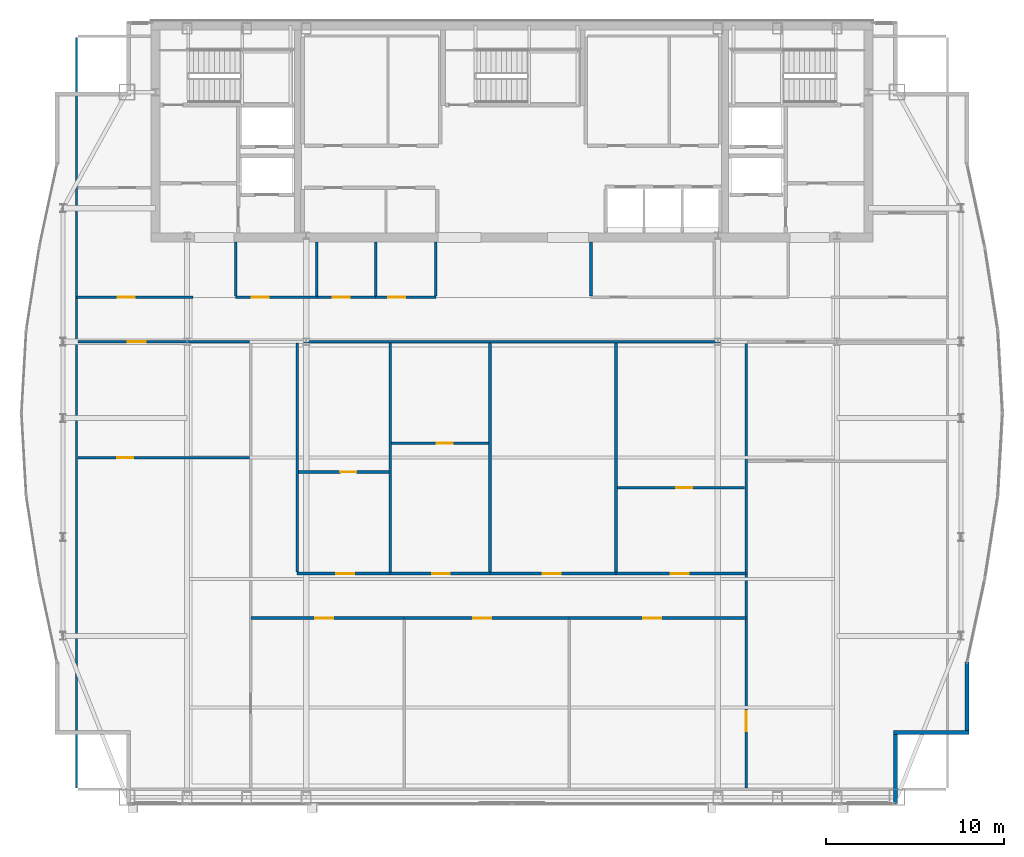
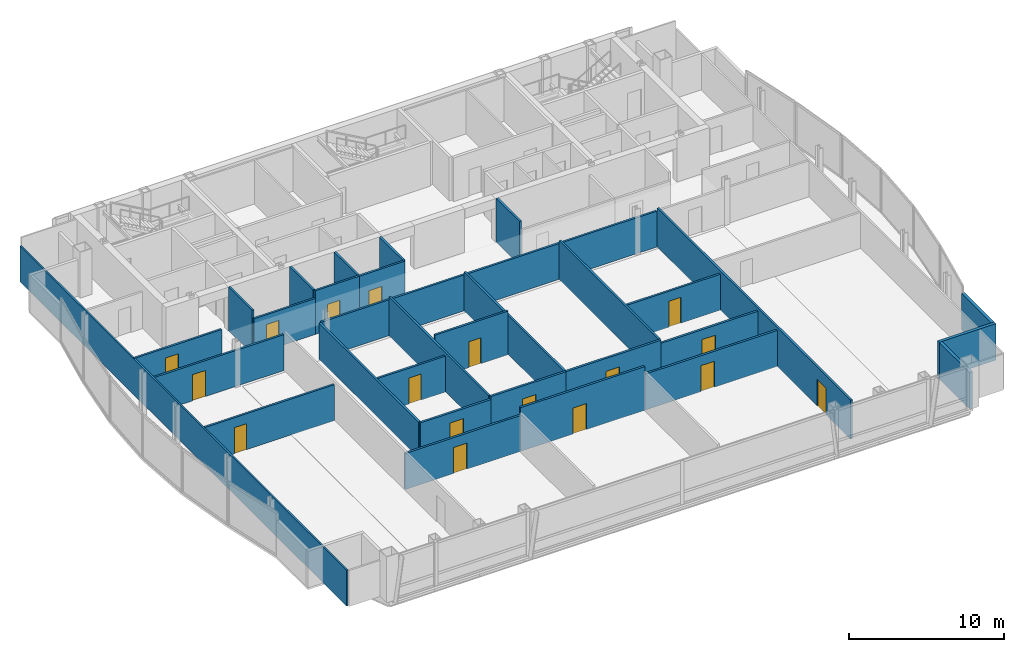
# One storey, part 24 of 29: 31 walls, 17 doors, 17 openings.
"""IFC4 building model written with IfcOpenShell, lengths in metres."""

from ifc_helpers import new_model, si_unit, direction, frame, frame_2d, origin, place, context, subcontext, project, spatial, rectangle, extrude, material, layer, layer_set, type_object, element, fill, save


model = new_model("IFC4")

# Units and contexts
model_context = context("Model", 3, precision=1e-05, world=origin(), true_north=direction((0.0, 1.0)))
body_context = subcontext(model_context, "Body", "Model", "MODEL_VIEW")
ifc_project = project(units=[si_unit("LENGTHUNIT", "METRE"), si_unit("AREAUNIT", "SQUARE_METRE"), si_unit("VOLUMEUNIT", "CUBIC_METRE"), si_unit("PLANEANGLEUNIT", "RADIAN"), si_unit("MASSUNIT", "GRAM", prefix="KILO")], contexts=[model_context])

# Site, building, storey
site_placement = place(None, origin())
site = spatial("IfcSite", under=ifc_project, at=site_placement, CompositionType="ELEMENT")
building_placement = place(site_placement, origin())
building = spatial("IfcBuilding", under=site, at=building_placement, Name="Khoronbel Lancet Exchange", CompositionType="ELEMENT")
storey_placement = place(building_placement, frame((0.0, 0.0, 329.0)))
storey = spatial("IfcBuildingStorey", under=building, at=storey_placement, Name="L85", CompositionType="ELEMENT", Elevation=329.0)

# Walls
ifc_material_1 = material(Name="Precast concrete C40/50", Category="concrete")
ifc_layer_1 = layer(ifc_material_1, 0.25, Name="Precast concrete C40/50")
ifc_layer_set_1 = layer_set([ifc_layer_1], Name="Precast concrete C40/50")
wall_type_1 = type_object("IfcWallType", Name="WL-EXT250", PredefinedType="SOLIDWALL", material=ifc_layer_set_1)
wall_1_placement = place(storey_placement, frame((61.9599609375, 17.7294921875, 0.0), z_axis=(0.0, 0.0, 1.0), x_axis=(0.0, -1.0, 0.0)))
element("IfcWall", 1, at=wall_1_placement, inside=storey, type_object=wall_type_1, Name="Level L85 notched-corner limestone pier 23", PredefinedType="SOLIDWALL", context=body_context, shape_type="SweptSolid", body=[
    extrude(rectangle(XDim=3.82958984375, YDim=0.219970703125, at=frame_2d((1.914794921875, 0.0))), origin(), (0.0, 0.0, 1.0), 2.8798828125),
])
wall_2_placement = place(storey_placement, frame((62.070068359375, 13.7900390625, 0.0), z_axis=(0.0, 0.0, 1.0), x_axis=(-1.0, 0.0, 0.0)))
element("IfcWall", 2, at=wall_2_placement, inside=storey, type_object=wall_type_1, Name="Level L85 notched-corner limestone pier 24", PredefinedType="SOLIDWALL", context=body_context, shape_type="SweptSolid", body=[
    extrude(rectangle(XDim=4.219970703125, YDim=0.219970703125, at=frame_2d((2.10986328125, 0.0))), origin(), (0.0, 0.0, 1.0), 2.8798828125),
])
wall_3_placement = place(storey_placement, frame((57.9599609375, 13.679931640625, 0.0), z_axis=(0.0, 0.0, 1.0), x_axis=(0.0, -1.0, 0.0)))
element("IfcWall", 3, at=wall_3_placement, inside=storey, type_object=wall_type_1, Name="Level L85 notched-corner limestone pier 25", PredefinedType="SOLIDWALL", context=body_context, shape_type="SweptSolid", body=[
    extrude(rectangle(XDim=3.909912109375, YDim=0.219970703125, at=frame_2d((1.955078125, 0.0))), origin(), (0.0, 0.0, 1.0), 2.8798828125),
])
ifc_material_2 = material(Name="Acoustic Metal-Stud & Mineral-Wool Gypsum Partition 120 mm", Category="gypsum")
ifc_layer_2 = layer(ifc_material_2, 0.1201171875, Name="Acoustic Metal-Stud & Mineral-Wool Gypsum Partition 120 mm")
ifc_layer_set_2 = layer_set([ifc_layer_2], Name="Acoustic Metal-Stud & Mineral-Wool Gypsum Partition 120 mm")
wall_type_2 = type_object("IfcWallType", Name="WL-PRT120", PredefinedType="PARTITIONING", material=ifc_layer_set_2)
for number, where, z_axis, x_axis, name in (
    (4, (20.949951171875, 38.280029296875, 0.0), (0.0, 0.0, 1.0), (0.0, 1.0, 0.0), "Level L85 interior partition PW-WC-0"),
    (5, (25.5, 38.280029296875, 0.0), (0.0, 0.0, 1.0), (0.0, 1.0, 0.0), "Level L85 interior partition PW-WC-1"),
    (6, (28.800048828125, 38.280029296875, 0.0), (0.0, 0.0, 1.0), (0.0, 1.0, 0.0), "Level L85 interior partition PW-WC-2"),
    (7, (32.179931640625, 38.280029296875, 0.0), (0.0, 0.0, 1.0), (0.0, 1.0, 0.0), "Level L85 interior partition PW-WC-3"),
    (8, (40.8798828125, 38.280029296875, 0.0), (0.0, 0.0, 1.0), (0.0, 1.0, 0.0), "Level L85 interior partition PW-NP-0"),
):
    element("IfcWall", number, at=place(storey_placement, frame(where, z_axis=z_axis, x_axis=x_axis)), inside=storey, type_object=wall_type_2, Name=name, PredefinedType="PARTITIONING", context=body_context, shape_type="SweptSolid", body=[
        extrude(rectangle(XDim=3.02001953125, YDim=0.14990234375, at=frame_2d((1.510009765625, 0.0))), origin(), (0.0, 0.0, 1.0), 3.43994140625),
    ])

# Wall, opening, door
wall_4_placement = place(storey_placement, frame((12.094970703125, 29.199951171875, 0.0), z_axis=(0.0, 0.0, 1.0), x_axis=(1.0, 0.0, 0.0)))
wall_4 = element("IfcWall", 9, at=wall_4_placement, inside=storey, type_object=wall_type_2, Name="Level L85 interior partition PW-Z4-WH", PredefinedType="PARTITIONING", context=body_context, shape_type="SweptSolid", body=[
    extrude(rectangle(XDim=9.625, YDim=0.14990234375, at=frame_2d((4.8125, 0.0))), origin(), (0.0, 0.0, 1.0), 2.830078125),
])
opening_1_placement = place(wall_4_placement, frame((2.199951171875, 0.0, 0.0)))
opening_1 = element("IfcOpeningElement", 10, at=opening_1_placement, cuts=wall_4, Name="Opening D5", PredefinedType="OPENING", context=body_context, shape_type="SweptSolid", body=[
    extrude(rectangle(XDim=0.89990234375, YDim=2.050048828125, at=frame_2d((0.449951171875, 1.02490234375))), frame((0.0, 0.0849609375, 0.0), z_axis=(0.0, -1.0, 0.0), x_axis=(1.0, 0.0, 0.0)), (0.0, 0.0, 1.0), 0.169921875),
])
ifc_material_3 = material(Name="Acoustic Timber Pantry & Support Door", Category="wood")
door_type_1 = type_object("IfcDoorType", Name="DR-D5", OperationType="NOTDEFINED", PredefinedType="DOOR", material=ifc_material_3)
door_1_placement = place(opening_1_placement, origin())
door_1 = element("IfcDoor", 11, at=door_1_placement, inside=storey, type_object=door_type_1, Name="West lens inner door L85-1", OperationType="SINGLE_SWING_LEFT", OverallHeight=2.050048828125, OverallWidth=0.89990234375, PredefinedType="DOOR", context=body_context, shape_type="SweptSolid", body=[
    extrude(rectangle(XDim=0.89990234375, YDim=2.050048828125, at=frame_2d((0.449951171875, 1.02490234375))), frame((0.0, 0.02490234375, 0.0), z_axis=(0.0, -1.0, 0.0), x_axis=(1.0, 0.0, 0.0)), (0.0, 0.0, 1.0), 0.050048828125),
])
fill(opening_1, door_1)

wall_5_placement = place(storey_placement, frame((24.47998046875, 28.398193359375, 0.0), z_axis=(0.0, 0.0, 1.0), x_axis=(1.0, 0.0, 0.0)))
wall_5 = element("IfcWall", 12, at=wall_5_placement, inside=storey, type_object=wall_type_2, Name="Level L85 interior partition PW-Z4C-H1", PredefinedType="PARTITIONING", context=body_context, shape_type="SweptSolid", body=[
    extrude(rectangle(XDim=5.0576171875, YDim=0.14990234375, at=frame_2d((2.52880859375, 0.0))), origin(), (0.0, 0.0, 1.0), 2.830078125),
])
opening_2_placement = place(wall_5_placement, frame((2.347900390625, 0.0, 0.0)))
opening_2 = element("IfcOpeningElement", 13, at=opening_2_placement, cuts=wall_5, Name="Opening D5", PredefinedType="OPENING", context=body_context, shape_type="SweptSolid", body=[
    extrude(rectangle(XDim=0.89990234375, YDim=2.050048828125, at=frame_2d((0.449951171875, 1.02490234375))), frame((0.0, 0.0849609375, 0.0), z_axis=(0.0, -1.0, 0.0), x_axis=(1.0, 0.0, 0.0)), (0.0, 0.0, 1.0), 0.169921875),
])
door_2_placement = place(opening_2_placement, origin())
door_2 = element("IfcDoor", 14, at=door_2_placement, inside=storey, type_object=door_type_1, Name="Z4C inner door 1 L85-1", OperationType="SINGLE_SWING_RIGHT", OverallHeight=2.050048828125, OverallWidth=0.89990234375, PredefinedType="DOOR", context=body_context, shape_type="SweptSolid", body=[
    extrude(rectangle(XDim=0.89990234375, YDim=2.050048828125, at=frame_2d((0.449951171875, 1.02490234375))), frame((0.0, 0.02490234375, 0.0), z_axis=(0.0, -1.0, 0.0), x_axis=(1.0, 0.0, 0.0)), (0.0, 0.0, 1.0), 0.050048828125),
])
fill(opening_2, door_2)

wall_6_placement = place(storey_placement, frame((29.69775390625, 30.01025390625, 0.0), z_axis=(0.0, 0.0, 1.0), x_axis=(1.0, 0.0, 0.0)))
wall_6 = element("IfcWall", 15, at=wall_6_placement, inside=storey, type_object=wall_type_2, Name="Level L85 interior partition PW-Z4C-H2", PredefinedType="PARTITIONING", context=body_context, shape_type="SweptSolid", body=[
    extrude(rectangle(XDim=5.438232421875, YDim=0.14990234375, at=frame_2d((2.71923828125, 0.0))), origin(), (0.0, 0.0, 1.0), 3.43994140625),
])
opening_3_placement = place(wall_6_placement, frame((2.519287109375, 0.0, 0.0)))
opening_3 = element("IfcOpeningElement", 16, at=opening_3_placement, cuts=wall_6, Name="Opening D5", PredefinedType="OPENING", context=body_context, shape_type="SweptSolid", body=[
    extrude(rectangle(XDim=0.89990234375, YDim=2.050048828125, at=frame_2d((0.449951171875, 1.02490234375))), frame((0.0, 0.0849609375, 0.0), z_axis=(0.0, -1.0, 0.0), x_axis=(1.0, 0.0, 0.0)), (0.0, 0.0, 1.0), 0.169921875),
])
door_3_placement = place(opening_3_placement, origin())
door_3 = element("IfcDoor", 17, at=door_3_placement, inside=storey, type_object=door_type_1, Name="Z4C inner door 2 L85-1", OperationType="SINGLE_SWING_RIGHT", OverallHeight=2.050048828125, OverallWidth=0.89990234375, PredefinedType="DOOR", context=body_context, shape_type="SweptSolid", body=[
    extrude(rectangle(XDim=0.89990234375, YDim=2.050048828125, at=frame_2d((0.449951171875, 1.02490234375))), frame((0.0, 0.02490234375, 0.0), z_axis=(0.0, -1.0, 0.0), x_axis=(1.0, 0.0, 0.0)), (0.0, 0.0, 1.0), 0.050048828125),
])
fill(opening_3, door_3)

wall_7_placement = place(storey_placement, frame((42.367431640625, 27.506591796875, 0.0), z_axis=(0.0, 0.0, 1.0), x_axis=(1.0, 0.0, 0.0)))
wall_7 = element("IfcWall", 18, at=wall_7_placement, inside=storey, type_object=wall_type_2, Name="Level L85 interior partition PW-Z4C-H4", PredefinedType="PARTITIONING", context=body_context, shape_type="SweptSolid", body=[
    extrude(rectangle(XDim=7.132568359375, YDim=0.14990234375, at=frame_2d((3.56640625, 0.0))), origin(), (0.0, 0.0, 1.0), 2.830078125),
])
opening_4_placement = place(wall_7_placement, frame((3.281494140625, 0.0, 0.0)))
opening_4 = element("IfcOpeningElement", 19, at=opening_4_placement, cuts=wall_7, Name="Opening D5", PredefinedType="OPENING", context=body_context, shape_type="SweptSolid", body=[
    extrude(rectangle(XDim=0.89990234375, YDim=2.050048828125, at=frame_2d((0.449951171875, 1.02490234375))), frame((0.0, 0.0849609375, 0.0), z_axis=(0.0, -1.0, 0.0), x_axis=(1.0, 0.0, 0.0)), (0.0, 0.0, 1.0), 0.169921875),
])
door_4_placement = place(opening_4_placement, origin())
door_4 = element("IfcDoor", 20, at=door_4_placement, inside=storey, type_object=door_type_1, Name="Z4C inner door 4 L85-1", OperationType="SINGLE_SWING_LEFT", OverallHeight=2.050048828125, OverallWidth=0.89990234375, PredefinedType="DOOR", context=body_context, shape_type="SweptSolid", body=[
    extrude(rectangle(XDim=0.89990234375, YDim=2.050048828125, at=frame_2d((0.449951171875, 1.02490234375))), frame((0.0, 0.02490234375, 0.0), z_axis=(0.0, -1.0, 0.0), x_axis=(1.0, 0.0, 0.0)), (0.0, 0.0, 1.0), 0.050048828125),
])
fill(opening_4, door_4)

# Wall
wall_8_placement = place(storey_placement, frame((12.030029296875, 10.6650390625, 0.0), z_axis=(0.0, 0.0, 1.0), x_axis=(0.0, 1.0, 0.0)))
element("IfcWall", 21, at=wall_8_placement, inside=storey, type_object=wall_type_2, Name="Level L85 interior partition PW-LIN-W", PredefinedType="PARTITIONING", context=body_context, shape_type="SweptSolid", body=[
    extrude(rectangle(XDim=42.10986328125, YDim=0.1201171875, at=frame_2d((21.054931640625, 0.0))), origin(), (0.0, 0.0, 1.0), 2.830078125),
])

# Wall, opening, door
ifc_material_4 = material(Name="Fire-Rated Twin-Stud Acoustic Gypsum Partition 150 mm", Category="gypsum")
ifc_layer_3 = layer(ifc_material_4, 0.14990234375, Name="Fire-Rated Twin-Stud Acoustic Gypsum Partition 150 mm")
ifc_layer_set_3 = layer_set([ifc_layer_3], Name="Fire-Rated Twin-Stud Acoustic Gypsum Partition 150 mm")
wall_type_3 = type_object("IfcWallType", Name="WL-PRT150C", PredefinedType="PARTITIONING", material=ifc_layer_set_3)
wall_9_placement = place(storey_placement, frame((20.949951171875, 38.199951171875, 0.0), z_axis=(0.0, 0.0, 1.0), x_axis=(1.0, 0.0, 0.0)))
wall_9 = element("IfcWall", 22, at=wall_9_placement, inside=storey, type_object=wall_type_3, Name="Level L85 interior partition PW-WC-S1", PredefinedType="PARTITIONING", context=body_context, shape_type="SweptSolid", body=[
    extrude(rectangle(XDim=4.550048828125, YDim=0.14990234375, at=frame_2d((2.27490234375, 0.0))), origin(), (0.0, 0.0, 1.0), 2.830078125),
])
opening_5_placement = place(wall_9_placement, frame((0.89990234375, 0.0, 0.0)))
opening_5 = element("IfcOpeningElement", 23, at=opening_5_placement, cuts=wall_9, Name="Opening D4", PredefinedType="OPENING", context=body_context, shape_type="SweptSolid", body=[
    extrude(rectangle(XDim=0.949951171875, YDim=2.050048828125, at=frame_2d((0.47509765625, 1.02490234375))), frame((0.0, 0.0849609375, 0.0), z_axis=(0.0, -1.0, 0.0), x_axis=(1.0, 0.0, 0.0)), (0.0, 0.0, 1.0), 0.169921875),
])
ifc_material_5 = material(Name="Moisture-Resistant HPL Washroom Door", Category="wood")
door_type_2 = type_object("IfcDoorType", Name="DR-D4", OperationType="NOTDEFINED", PredefinedType="DOOR", material=ifc_material_5)
door_5_placement = place(opening_5_placement, origin())
door_5 = element("IfcDoor", 24, at=door_5_placement, inside=storey, type_object=door_type_2, Name="Male washroom door L85-1", OperationType="SINGLE_SWING_RIGHT", OverallHeight=2.050048828125, OverallWidth=0.949951171875, PredefinedType="DOOR", context=body_context, shape_type="SweptSolid", body=[
    extrude(rectangle(XDim=0.949951171875, YDim=2.050048828125, at=frame_2d((0.47509765625, 1.02490234375))), frame((0.0, 0.02490234375, 0.0), z_axis=(0.0, -1.0, 0.0), x_axis=(1.0, 0.0, 0.0)), (0.0, 0.0, 1.0), 0.050048828125),
])
fill(opening_5, door_5)

wall_10_placement = place(storey_placement, frame((25.5, 38.199951171875, 0.0), z_axis=(0.0, 0.0, 1.0), x_axis=(1.0, 0.0, 0.0)))
wall_10 = element("IfcWall", 25, at=wall_10_placement, inside=storey, type_object=wall_type_3, Name="Level L85 interior partition PW-WC-S2", PredefinedType="PARTITIONING", context=body_context, shape_type="SweptSolid", body=[
    extrude(rectangle(XDim=3.300048828125, YDim=0.14990234375, at=frame_2d((1.64990234375, 0.0))), origin(), (0.0, 0.0, 1.0), 3.43994140625),
])
opening_6_placement = place(wall_10_placement, frame((0.89990234375, 0.0, 0.0)))
opening_6 = element("IfcOpeningElement", 26, at=opening_6_placement, cuts=wall_10, Name="Opening D4", PredefinedType="OPENING", context=body_context, shape_type="SweptSolid", body=[
    extrude(rectangle(XDim=0.949951171875, YDim=2.050048828125, at=frame_2d((0.47509765625, 1.02490234375))), frame((0.0, 0.0849609375, 0.0), z_axis=(0.0, -1.0, 0.0), x_axis=(1.0, 0.0, 0.0)), (0.0, 0.0, 1.0), 0.169921875),
])
door_6_placement = place(opening_6_placement, origin())
door_6 = element("IfcDoor", 27, at=door_6_placement, inside=storey, type_object=door_type_2, Name="Female washroom door L85-1", OperationType="SINGLE_SWING_LEFT", OverallHeight=2.050048828125, OverallWidth=0.949951171875, PredefinedType="DOOR", context=body_context, shape_type="SweptSolid", body=[
    extrude(rectangle(XDim=0.949951171875, YDim=2.050048828125, at=frame_2d((0.47509765625, 1.02490234375))), frame((0.0, 0.02490234375, 0.0), z_axis=(0.0, -1.0, 0.0), x_axis=(1.0, 0.0, 0.0)), (0.0, 0.0, 1.0), 0.050048828125),
])
fill(opening_6, door_6)

wall_11_placement = place(storey_placement, frame((28.800048828125, 38.199951171875, 0.0), z_axis=(0.0, 0.0, 1.0), x_axis=(1.0, 0.0, 0.0)))
wall_11 = element("IfcWall", 28, at=wall_11_placement, inside=storey, type_object=wall_type_3, Name="Level L85 interior partition PW-WC-S3", PredefinedType="PARTITIONING", context=body_context, shape_type="SweptSolid", body=[
    extrude(rectangle(XDim=3.3798828125, YDim=0.14990234375, at=frame_2d((1.68994140625, 0.0))), origin(), (0.0, 0.0, 1.0), 3.43994140625),
])
opening_7_placement = place(wall_11_placement, frame((0.699951171875, 0.0, 0.0)))
opening_7 = element("IfcOpeningElement", 29, at=opening_7_placement, cuts=wall_11, Name="Opening D4", PredefinedType="OPENING", context=body_context, shape_type="SweptSolid", body=[
    extrude(rectangle(XDim=0.949951171875, YDim=2.050048828125, at=frame_2d((0.47509765625, 1.02490234375))), frame((0.0, 0.0849609375, 0.0), z_axis=(0.0, -1.0, 0.0), x_axis=(1.0, 0.0, 0.0)), (0.0, 0.0, 1.0), 0.169921875),
])
door_7_placement = place(opening_7_placement, origin())
door_7 = element("IfcDoor", 30, at=door_7_placement, inside=storey, type_object=door_type_2, Name="Accessible WC door L85-1", OperationType="SINGLE_SWING_RIGHT", OverallHeight=2.050048828125, OverallWidth=0.949951171875, PredefinedType="DOOR", context=body_context, shape_type="SweptSolid", body=[
    extrude(rectangle(XDim=0.949951171875, YDim=2.050048828125, at=frame_2d((0.47509765625, 1.02490234375))), frame((0.0, 0.02490234375, 0.0), z_axis=(0.0, -1.0, 0.0), x_axis=(1.0, 0.0, 0.0)), (0.0, 0.0, 1.0), 0.050048828125),
])
fill(opening_7, door_7)

wall_12_placement = place(storey_placement, frame((12.030029296875, 38.199951171875, 0.0), z_axis=(0.0, 0.0, 1.0), x_axis=(1.0, 0.0, 0.0)))
wall_12 = element("IfcWall", 31, at=wall_12_placement, inside=storey, type_object=wall_type_3, Name="Level L85 interior partition PW-NW-S", PredefinedType="PARTITIONING", context=body_context, shape_type="SweptSolid", body=[
    extrude(rectangle(XDim=6.52001953125, YDim=0.14990234375, at=frame_2d((3.260009765625, 0.0))), origin(), (0.0, 0.0, 1.0), 2.830078125),
])
opening_8_placement = place(wall_12_placement, frame((2.320068359375, 0.0, 0.0)))
opening_8 = element("IfcOpeningElement", 32, at=opening_8_placement, cuts=wall_12, Name="Opening D1", PredefinedType="OPENING", context=body_context, shape_type="SweptSolid", body=[
    extrude(rectangle(XDim=0.949951171875, YDim=2.050048828125, at=frame_2d((0.47509765625, 1.02490234375))), frame((0.0, 0.0849609375, 0.0), z_axis=(0.0, -1.0, 0.0), x_axis=(1.0, 0.0, 0.0)), (0.0, 0.0, 1.0), 0.169921875),
])
ifc_material_6 = material(Name="Acoustic Veneered Timber & Bronze Frame Door", Category="wood")
door_type_3 = type_object("IfcDoorType", Name="DR-D1", OperationType="NOTDEFINED", PredefinedType="DOOR", material=ifc_material_6)
door_8_placement = place(opening_8_placement, origin())
door_8 = element("IfcDoor", 33, at=door_8_placement, inside=storey, type_object=door_type_3, Name="NW corner room door L85-1", OperationType="SINGLE_SWING_LEFT", OverallHeight=2.050048828125, OverallWidth=0.949951171875, PredefinedType="DOOR", context=body_context, shape_type="SweptSolid", body=[
    extrude(rectangle(XDim=0.949951171875, YDim=2.050048828125, at=frame_2d((0.47509765625, 1.02490234375))), frame((0.0, 0.02490234375, 0.0), z_axis=(0.0, -1.0, 0.0), x_axis=(1.0, 0.0, 0.0)), (0.0, 0.0, 1.0), 0.050048828125),
])
fill(opening_8, door_8)

wall_13_placement = place(storey_placement, frame((12.094970703125, 35.699951171875, 0.0), z_axis=(0.0, 0.0, 1.0), x_axis=(1.0, 0.0, 0.0)))
wall_13 = element("IfcWall", 34, at=wall_13_placement, inside=storey, type_object=wall_type_3, Name="Level L85 interior partition PW-Z4-WN", PredefinedType="PARTITIONING", context=body_context, shape_type="SweptSolid", body=[
    extrude(rectangle(XDim=9.625, YDim=0.14990234375, at=frame_2d((4.8125, 0.0))), origin(), (0.0, 0.0, 1.0), 2.830078125),
])
opening_9_placement = place(wall_13_placement, frame((2.800048828125, 0.0, 0.0)))
opening_9 = element("IfcOpeningElement", 35, at=opening_9_placement, cuts=wall_13, Name="Opening D2", PredefinedType="OPENING", context=body_context, shape_type="SweptSolid", body=[
    extrude(rectangle(XDim=1.0, YDim=2.050048828125, at=frame_2d((0.5, 1.02490234375))), frame((0.0, 0.0849609375, 0.0), z_axis=(0.0, -1.0, 0.0), x_axis=(1.0, 0.0, 0.0)), (0.0, 0.0, 1.0), 0.169921875),
])
door_type_4 = type_object("IfcDoorType", Name="DR-D2", OperationType="NOTDEFINED", PredefinedType="DOOR", material=ifc_material_6)
door_9_placement = place(opening_9_placement, origin())
door_9 = element("IfcDoor", 36, at=door_9_placement, inside=storey, type_object=door_type_4, Name="West lens north door L85-1", OperationType="SINGLE_SWING_RIGHT", OverallHeight=2.050048828125, OverallWidth=1.0, PredefinedType="DOOR", context=body_context, shape_type="SweptSolid", body=[
    extrude(rectangle(XDim=1.0, YDim=2.050048828125, at=frame_2d((0.5, 1.02490234375))), frame((0.0, 0.02490234375, 0.0), z_axis=(0.0, -1.0, 0.0), x_axis=(1.0, 0.0, 0.0)), (0.0, 0.0, 1.0), 0.050048828125),
])
fill(opening_9, door_9)

# Wall
wall_14_placement = place(storey_placement, frame((24.39990234375, 22.784912109375, 0.0), z_axis=(0.0, 0.0, 1.0), x_axis=(0.0, 1.0, 0.0)))
element("IfcWall", 37, at=wall_14_placement, inside=storey, type_object=wall_type_3, Name="Level L85 interior partition PW-Z4-WE", PredefinedType="PARTITIONING", context=body_context, shape_type="SweptSolid", body=[
    extrude(rectangle(XDim=12.835205078125, YDim=0.14990234375, at=frame_2d((6.41748046875, 0.0))), origin(), (0.0, 0.0, 1.0), 2.830078125),
])

# Wall, opening, door
wall_15_placement = place(storey_placement, frame((49.580078125, 10.6650390625, 0.0), z_axis=(0.0, 0.0, 1.0), x_axis=(0.0, 1.0, 0.0)))
wall_15 = element("IfcWall", 38, at=wall_15_placement, inside=storey, type_object=wall_type_3, Name="Level L85 interior partition PW-Z4-PE", PredefinedType="PARTITIONING", context=body_context, shape_type="SweptSolid", body=[
    extrude(rectangle(XDim=24.955078125, YDim=0.14990234375, at=frame_2d((12.4775390625, 0.0))), origin(), (0.0, 0.0, 1.0), 3.070068359375),
])
opening_10_placement = place(wall_15_placement, frame((3.199951171875, 0.0, 0.0)))
opening_10 = element("IfcOpeningElement", 39, at=opening_10_placement, cuts=wall_15, Name="Opening D6", PredefinedType="OPENING", context=body_context, shape_type="SweptSolid", body=[
    extrude(rectangle(XDim=1.10009765625, YDim=2.10009765625, at=frame_2d((0.550048828125, 1.050048828125))), frame((0.0, 0.0849609375, 0.0), z_axis=(0.0, -1.0, 0.0), x_axis=(1.0, 0.0, 0.0)), (0.0, 0.0, 1.0), 0.169921875),
])
ifc_material_7 = material(Name="Acoustic Bronze-Veneer Executive Suite Door", Category="wood")
door_type_5 = type_object("IfcDoorType", Name="DR-D6", OperationType="NOTDEFINED", PredefinedType="DOOR", material=ifc_material_7)
door_10_placement = place(opening_10_placement, origin())
door_10 = element("IfcDoor", 40, at=door_10_placement, inside=storey, type_object=door_type_5, Name="East lens south door L85-1", OperationType="SINGLE_SWING_RIGHT", OverallHeight=2.10009765625, OverallWidth=1.10009765625, PredefinedType="DOOR", context=body_context, shape_type="SweptSolid", body=[
    extrude(rectangle(XDim=1.10009765625, YDim=2.10009765625, at=frame_2d((0.550048828125, 1.050048828125))), frame((0.0, 0.02490234375, 0.0), z_axis=(0.0, -1.0, 0.0), x_axis=(1.0, 0.0, 0.0)), (0.0, 0.0, 1.0), 0.050048828125),
])
fill(opening_10, door_10)

# Walls
wall_16_placement = place(storey_placement, frame((24.47998046875, 35.699951171875, 0.0), z_axis=(0.0, 0.0, 1.0), x_axis=(1.0, 0.0, 0.0)))
element("IfcWall", 41, at=wall_16_placement, inside=storey, type_object=wall_type_3, Name="Level L85 interior partition PW-Z4-EN1", PredefinedType="PARTITIONING", context=body_context, shape_type="SweptSolid", body=[
    extrude(rectangle(XDim=25.02001953125, YDim=0.14990234375, at=frame_2d((12.510009765625, 0.0))), origin(), (0.0, 0.0, 1.0), 2.830078125),
])
for number, where, z_axis, x_axis, name in (
    (42, (29.61767578125, 22.784912109375, 0.0), (0.0, 0.0, 1.0), (0.0, 1.0, 0.0), "Level L85 interior partition PW-Z4C-V1"),
    (43, (35.216064453125, 22.784912109375, 0.0), (0.0, 0.0, 1.0), (0.0, 1.0, 0.0), "Level L85 interior partition PW-Z4C-V2"),
    (44, (42.28759765625, 22.784912109375, 0.0), (0.0, 0.0, 1.0), (0.0, 1.0, 0.0), "Level L85 interior partition PW-Z4C-V3"),
):
    element("IfcWall", number, at=place(storey_placement, frame(where, z_axis=z_axis, x_axis=x_axis)), inside=storey, type_object=wall_type_3, Name=name, PredefinedType="PARTITIONING", context=body_context, shape_type="SweptSolid", body=[
        extrude(rectangle(XDim=12.835205078125, YDim=0.14990234375, at=frame_2d((6.41748046875, 0.0))), origin(), (0.0, 0.0, 1.0), 3.070068359375),
    ])

# Wall, opening, door
ifc_material_8 = material(Name="Fire-Rated Twin-Stud Acoustic Gypsum Partition 160 mm", Category="gypsum")
ifc_layer_4 = layer(ifc_material_8, 0.159912109375, Name="Fire-Rated Twin-Stud Acoustic Gypsum Partition 160 mm")
ifc_layer_set_4 = layer_set([ifc_layer_4], Name="Fire-Rated Twin-Stud Acoustic Gypsum Partition 160 mm")
wall_type_4 = type_object("IfcWallType", Name="WL-PRT160C", PredefinedType="PARTITIONING", material=ifc_layer_set_4)
wall_17_placement = place(storey_placement, frame((24.39990234375, 22.699951171875, 0.0), z_axis=(0.0, 0.0, 1.0), x_axis=(1.0, 0.0, 0.0)))
wall_17 = element("IfcWall", 45, at=wall_17_placement, inside=storey, type_object=wall_type_4, Name="Level L85 interior partition PW-Z4C-COR1", PredefinedType="PARTITIONING", context=body_context, shape_type="SweptSolid", body=[
    extrude(rectangle(XDim=5.2177734375, YDim=0.159912109375, at=frame_2d((2.60888671875, 0.0))), origin(), (0.0, 0.0, 1.0), 2.830078125),
])
opening_11_placement = place(wall_17_placement, frame((2.19140625, 0.0, 0.0)))
opening_11 = element("IfcOpeningElement", 46, at=opening_11_placement, cuts=wall_17, Name="Opening D2", PredefinedType="OPENING", context=body_context, shape_type="SweptSolid", body=[
    extrude(rectangle(XDim=1.0, YDim=2.050048828125, at=frame_2d((0.5, 1.02490234375))), frame((0.0, 0.08984375, 0.0), z_axis=(0.0, -1.0, 0.0), x_axis=(1.0, 0.0, 0.0)), (0.0, 0.0, 1.0), 0.179931640625),
])
door_11_placement = place(opening_11_placement, origin())
door_11 = element("IfcDoor", 47, at=door_11_placement, inside=storey, type_object=door_type_4, Name="Z4C bay 1 door L85-1", OperationType="SINGLE_SWING_LEFT", OverallHeight=2.050048828125, OverallWidth=1.0, PredefinedType="DOOR", context=body_context, shape_type="SweptSolid", body=[
    extrude(rectangle(XDim=1.0, YDim=2.050048828125, at=frame_2d((0.5, 1.02490234375))), frame((0.0, 0.02490234375, 0.0), z_axis=(0.0, -1.0, 0.0), x_axis=(1.0, 0.0, 0.0)), (0.0, 0.0, 1.0), 0.050048828125),
])
fill(opening_11, door_11)

wall_18_placement = place(storey_placement, frame((29.61767578125, 22.699951171875, 0.0), z_axis=(0.0, 0.0, 1.0), x_axis=(1.0, 0.0, 0.0)))
wall_18 = element("IfcWall", 48, at=wall_18_placement, inside=storey, type_object=wall_type_4, Name="Level L85 interior partition PW-Z4C-COR2", PredefinedType="PARTITIONING", context=body_context, shape_type="SweptSolid", body=[
    extrude(rectangle(XDim=5.598388671875, YDim=0.159912109375, at=frame_2d((2.79931640625, 0.0))), origin(), (0.0, 0.0, 1.0), 3.070068359375),
])
opening_12_placement = place(wall_18_placement, frame((2.351318359375, 0.0, 0.0)))
opening_12 = element("IfcOpeningElement", 49, at=opening_12_placement, cuts=wall_18, Name="Opening D2", PredefinedType="OPENING", context=body_context, shape_type="SweptSolid", body=[
    extrude(rectangle(XDim=1.0, YDim=2.050048828125, at=frame_2d((0.5, 1.02490234375))), frame((0.0, 0.08984375, 0.0), z_axis=(0.0, -1.0, 0.0), x_axis=(1.0, 0.0, 0.0)), (0.0, 0.0, 1.0), 0.179931640625),
])
door_12_placement = place(opening_12_placement, origin())
door_12 = element("IfcDoor", 50, at=door_12_placement, inside=storey, type_object=door_type_4, Name="Z4C bay 2 door L85-1", OperationType="SINGLE_SWING_LEFT", OverallHeight=2.050048828125, OverallWidth=1.0, PredefinedType="DOOR", context=body_context, shape_type="SweptSolid", body=[
    extrude(rectangle(XDim=1.0, YDim=2.050048828125, at=frame_2d((0.5, 1.02490234375))), frame((0.0, 0.02490234375, 0.0), z_axis=(0.0, -1.0, 0.0), x_axis=(1.0, 0.0, 0.0)), (0.0, 0.0, 1.0), 0.050048828125),
])
fill(opening_12, door_12)

wall_19_placement = place(storey_placement, frame((35.216064453125, 22.699951171875, 0.0), z_axis=(0.0, 0.0, 1.0), x_axis=(1.0, 0.0, 0.0)))
wall_19 = element("IfcWall", 51, at=wall_19_placement, inside=storey, type_object=wall_type_4, Name="Level L85 interior partition PW-Z4C-COR3", PredefinedType="PARTITIONING", context=body_context, shape_type="SweptSolid", body=[
    extrude(rectangle(XDim=7.071533203125, YDim=0.159912109375, at=frame_2d((3.53564453125, 0.0))), origin(), (0.0, 0.0, 1.0), 3.070068359375),
])
opening_13_placement = place(wall_19_placement, frame((2.969970703125, 0.0, 0.0)))
opening_13 = element("IfcOpeningElement", 52, at=opening_13_placement, cuts=wall_19, Name="Opening D2", PredefinedType="OPENING", context=body_context, shape_type="SweptSolid", body=[
    extrude(rectangle(XDim=1.0, YDim=2.050048828125, at=frame_2d((0.5, 1.02490234375))), frame((0.0, 0.08984375, 0.0), z_axis=(0.0, -1.0, 0.0), x_axis=(1.0, 0.0, 0.0)), (0.0, 0.0, 1.0), 0.179931640625),
])
door_13_placement = place(opening_13_placement, origin())
door_13 = element("IfcDoor", 53, at=door_13_placement, inside=storey, type_object=door_type_4, Name="Z4C bay 3 door L85-1", OperationType="SINGLE_SWING_LEFT", OverallHeight=2.050048828125, OverallWidth=1.0, PredefinedType="DOOR", context=body_context, shape_type="SweptSolid", body=[
    extrude(rectangle(XDim=1.0, YDim=2.050048828125, at=frame_2d((0.5, 1.02490234375))), frame((0.0, 0.02490234375, 0.0), z_axis=(0.0, -1.0, 0.0), x_axis=(1.0, 0.0, 0.0)), (0.0, 0.0, 1.0), 0.050048828125),
])
fill(opening_13, door_13)

wall_20_placement = place(storey_placement, frame((42.28759765625, 22.699951171875, 0.0), z_axis=(0.0, 0.0, 1.0), x_axis=(1.0, 0.0, 0.0)))
wall_20 = element("IfcWall", 54, at=wall_20_placement, inside=storey, type_object=wall_type_4, Name="Level L85 interior partition PW-Z4C-COR4", PredefinedType="PARTITIONING", context=body_context, shape_type="SweptSolid", body=[
    extrude(rectangle(XDim=7.29248046875, YDim=0.159912109375, at=frame_2d((3.646240234375, 0.0))), origin(), (0.0, 0.0, 1.0), 2.830078125),
])
opening_14_placement = place(wall_20_placement, frame((3.062744140625, 0.0, 0.0)))
opening_14 = element("IfcOpeningElement", 55, at=opening_14_placement, cuts=wall_20, Name="Opening D2", PredefinedType="OPENING", context=body_context, shape_type="SweptSolid", body=[
    extrude(rectangle(XDim=1.0, YDim=2.050048828125, at=frame_2d((0.5, 1.02490234375))), frame((0.0, 0.08984375, 0.0), z_axis=(0.0, -1.0, 0.0), x_axis=(1.0, 0.0, 0.0)), (0.0, 0.0, 1.0), 0.179931640625),
])
door_14_placement = place(opening_14_placement, origin())
door_14 = element("IfcDoor", 56, at=door_14_placement, inside=storey, type_object=door_type_4, Name="Z4C bay 4 door L85-1", OperationType="SINGLE_SWING_RIGHT", OverallHeight=2.050048828125, OverallWidth=1.0, PredefinedType="DOOR", context=body_context, shape_type="SweptSolid", body=[
    extrude(rectangle(XDim=1.0, YDim=2.050048828125, at=frame_2d((0.5, 1.02490234375))), frame((0.0, 0.02490234375, 0.0), z_axis=(0.0, -1.0, 0.0), x_axis=(1.0, 0.0, 0.0)), (0.0, 0.0, 1.0), 0.050048828125),
])
fill(opening_14, door_14)

wall_21_placement = place(storey_placement, frame((21.800048828125, 20.199951171875, 0.0), z_axis=(0.0, 0.0, 1.0), x_axis=(1.0, 0.0, 0.0)))
wall_21 = element("IfcWall", 57, at=wall_21_placement, inside=storey, type_object=wall_type_4, Name="Level L85 interior partition PW-Z4S-COR1", PredefinedType="PARTITIONING", context=body_context, shape_type="SweptSolid", body=[
    extrude(rectangle(XDim=8.5986328125, YDim=0.159912109375, at=frame_2d((4.29931640625, 0.0))), origin(), (0.0, 0.0, 1.0), 2.830078125),
])
opening_15_placement = place(wall_21_placement, frame((3.611328125, 0.0, 0.0)))
opening_15 = element("IfcOpeningElement", 58, at=opening_15_placement, cuts=wall_21, Name="Opening D2", PredefinedType="OPENING", context=body_context, shape_type="SweptSolid", body=[
    extrude(rectangle(XDim=1.0, YDim=2.050048828125, at=frame_2d((0.5, 1.02490234375))), frame((0.0, 0.08984375, 0.0), z_axis=(0.0, -1.0, 0.0), x_axis=(1.0, 0.0, 0.0)), (0.0, 0.0, 1.0), 0.179931640625),
])
door_15_placement = place(opening_15_placement, origin())
door_15 = element("IfcDoor", 59, at=door_15_placement, inside=storey, type_object=door_type_4, Name="Z4S bay 1 door L85-1", OperationType="SINGLE_SWING_RIGHT", OverallHeight=2.050048828125, OverallWidth=1.0, PredefinedType="DOOR", context=body_context, shape_type="SweptSolid", body=[
    extrude(rectangle(XDim=1.0, YDim=2.050048828125, at=frame_2d((0.5, 1.02490234375))), frame((0.0, 0.02490234375, 0.0), z_axis=(0.0, -1.0, 0.0), x_axis=(1.0, 0.0, 0.0)), (0.0, 0.0, 1.0), 0.050048828125),
])
fill(opening_15, door_15)

wall_22_placement = place(storey_placement, frame((30.398681640625, 20.199951171875, 0.0), z_axis=(0.0, 0.0, 1.0), x_axis=(1.0, 0.0, 0.0)))
wall_22 = element("IfcWall", 60, at=wall_22_placement, inside=storey, type_object=wall_type_4, Name="Level L85 interior partition PW-Z4S-COR2", PredefinedType="PARTITIONING", context=body_context, shape_type="SweptSolid", body=[
    extrude(rectangle(XDim=9.260009765625, YDim=0.159912109375, at=frame_2d((4.6298828125, 0.0))), origin(), (0.0, 0.0, 1.0), 3.43994140625),
])
opening_16_placement = place(wall_22_placement, frame((3.88916015625, 0.0, 0.0)))
opening_16 = element("IfcOpeningElement", 61, at=opening_16_placement, cuts=wall_22, Name="Opening D2", PredefinedType="OPENING", context=body_context, shape_type="SweptSolid", body=[
    extrude(rectangle(XDim=1.0, YDim=2.050048828125, at=frame_2d((0.5, 1.02490234375))), frame((0.0, 0.08984375, 0.0), z_axis=(0.0, -1.0, 0.0), x_axis=(1.0, 0.0, 0.0)), (0.0, 0.0, 1.0), 0.179931640625),
])
door_16_placement = place(opening_16_placement, origin())
door_16 = element("IfcDoor", 62, at=door_16_placement, inside=storey, type_object=door_type_4, Name="Z4S bay 2 door L85-1", OperationType="SINGLE_SWING_LEFT", OverallHeight=2.050048828125, OverallWidth=1.0, PredefinedType="DOOR", context=body_context, shape_type="SweptSolid", body=[
    extrude(rectangle(XDim=1.0, YDim=2.050048828125, at=frame_2d((0.5, 1.02490234375))), frame((0.0, 0.02490234375, 0.0), z_axis=(0.0, -1.0, 0.0), x_axis=(1.0, 0.0, 0.0)), (0.0, 0.0, 1.0), 0.050048828125),
])
fill(opening_16, door_16)

wall_23_placement = place(storey_placement, frame((39.65869140625, 20.199951171875, 0.0), z_axis=(0.0, 0.0, 1.0), x_axis=(1.0, 0.0, 0.0)))
wall_23 = element("IfcWall", 63, at=wall_23_placement, inside=storey, type_object=wall_type_4, Name="Level L85 interior partition PW-Z4S-COR3", PredefinedType="PARTITIONING", context=body_context, shape_type="SweptSolid", body=[
    extrude(rectangle(XDim=9.92138671875, YDim=0.159912109375, at=frame_2d((4.960693359375, 0.0))), origin(), (0.0, 0.0, 1.0), 2.830078125),
])
opening_17_placement = place(wall_23_placement, frame((4.1669921875, 0.0, 0.0)))
opening_17 = element("IfcOpeningElement", 64, at=opening_17_placement, cuts=wall_23, Name="Opening D2", PredefinedType="OPENING", context=body_context, shape_type="SweptSolid", body=[
    extrude(rectangle(XDim=1.0, YDim=2.050048828125, at=frame_2d((0.5, 1.02490234375))), frame((0.0, 0.08984375, 0.0), z_axis=(0.0, -1.0, 0.0), x_axis=(1.0, 0.0, 0.0)), (0.0, 0.0, 1.0), 0.179931640625),
])
door_17_placement = place(opening_17_placement, origin())
door_17 = element("IfcDoor", 65, at=door_17_placement, inside=storey, type_object=door_type_4, Name="Z4S bay 3 door L85-1", OperationType="SINGLE_SWING_RIGHT", OverallHeight=2.050048828125, OverallWidth=1.0, PredefinedType="DOOR", context=body_context, shape_type="SweptSolid", body=[
    extrude(rectangle(XDim=1.0, YDim=2.050048828125, at=frame_2d((0.5, 1.02490234375))), frame((0.0, 0.02490234375, 0.0), z_axis=(0.0, -1.0, 0.0), x_axis=(1.0, 0.0, 0.0)), (0.0, 0.0, 1.0), 0.050048828125),
])
fill(opening_17, door_17)

save(model, "model.ifc")
